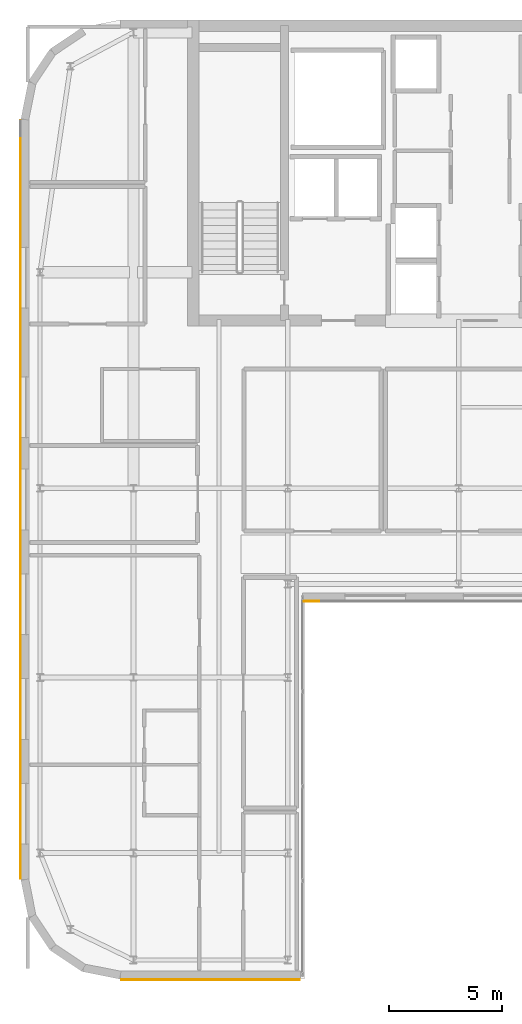
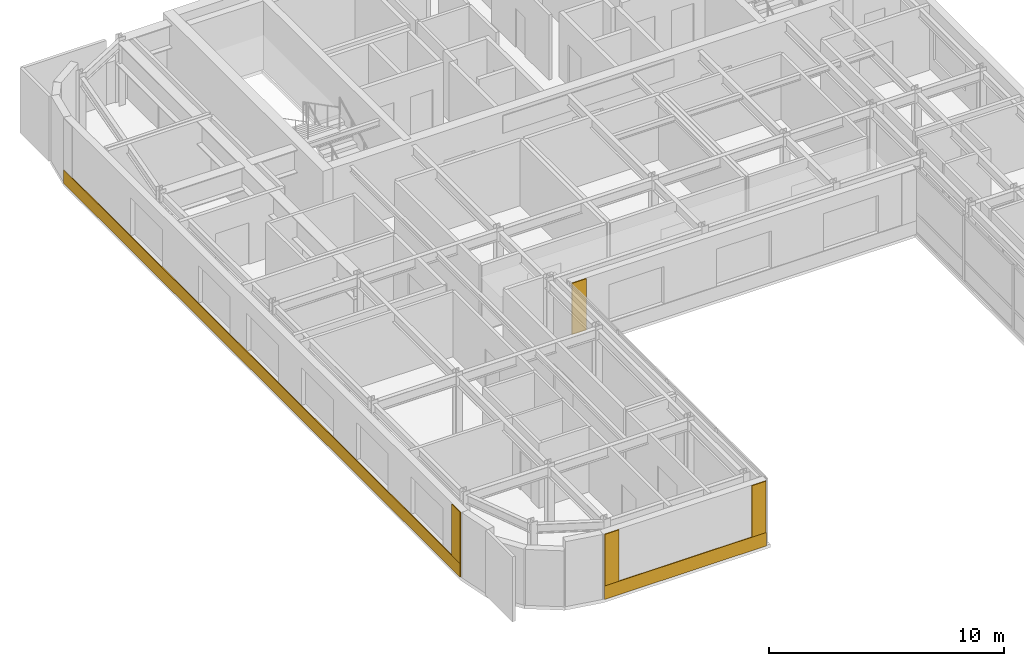
# One storey, part 18 of 21: 6 coverings.
"""IFC4 building model written with IfcOpenShell, lengths in metres."""

from ifc_helpers import new_model, si_unit, direction, frame, origin, place, context, subcontext, project, spatial, polyline, outline, extrude, material, layer, layer_set, type_object, element, save


model = new_model("IFC4")

# Units and contexts
model_context = context("Model", 3, precision=1e-05, world=origin(), true_north=direction((0.0, 1.0)))
body_context = subcontext(model_context, "Body", "Model", "MODEL_VIEW")
ifc_project = project(units=[si_unit("LENGTHUNIT", "METRE"), si_unit("AREAUNIT", "SQUARE_METRE"), si_unit("VOLUMEUNIT", "CUBIC_METRE"), si_unit("PLANEANGLEUNIT", "RADIAN"), si_unit("MASSUNIT", "GRAM", prefix="KILO")], contexts=[model_context])

# Site, building, storey
site_placement = place(None, origin())
site = spatial("IfcSite", under=ifc_project, at=site_placement, CompositionType="ELEMENT")
building_placement = place(site_placement, origin())
building = spatial("IfcBuilding", under=site, at=building_placement, Name="Tolvann Quenvar Hotel", CompositionType="ELEMENT")
storey_placement = place(building_placement, frame((0.0, 0.0, 255.85009765625)))
storey = spatial("IfcBuildingStorey", under=building, at=storey_placement, Name="L68", CompositionType="ELEMENT", Elevation=255.85009765625)

# Coverings
ifc_material_1 = material(Name="Kiln-fired red architectural face brick cladding", Category="masonry")
ifc_layer_1 = layer(ifc_material_1, 0.0400390625)
ifc_layer_set_1 = layer_set([ifc_layer_1], Name="Kiln-fired red architectural face brick cladding")
covering_type_1 = type_object("IfcCoveringType", Name="COV_CLAD_BRICK_40", PredefinedType="CLADDING", material=ifc_layer_set_1)
covering_1_placement = place(storey_placement, frame((0.0, 0.0, 0.699951171875)))
element("IfcCovering", 1, at=covering_1_placement, inside=storey, type_object=covering_type_1, Name="Brick Pier Cladding (L68-E04-P1)", PredefinedType="CLADDING", context=body_context, shape_type="SweptSolid", body=[
    extrude(outline(polyline([(7.067138671875, 2.60009765625), (7.76708984375, 2.60009765625), (7.76708984375, 2.56005859375), (7.067138671875, 2.56005859375), (7.067138671875, 2.60009765625)])), origin(), (0.0, 0.0, 1.0), 2.669921875),
])
covering_2_placement = place(storey_placement, frame((0.0, 0.0, 0.699951171875)))
element("IfcCovering", 2, at=covering_2_placement, inside=storey, type_object=covering_type_1, Name="Brick Pier Cladding (L68-E04-P2)", PredefinedType="CLADDING", context=body_context, shape_type="SweptSolid", body=[
    extrude(outline(polyline([(14.27490234375, 2.60009765625), (14.97509765625, 2.60009765625), (14.97509765625, 2.56005859375), (14.27490234375, 2.56005859375), (14.27490234375, 2.60009765625)])), origin(), (0.0, 0.0, 1.0), 2.669921875),
])
covering_3_placement = place(storey_placement, frame((0.0, 0.0, 0.699951171875)))
element("IfcCovering", 3, at=covering_3_placement, inside=storey, type_object=covering_type_1, Name="Brick Pier Cladding (L68-E06-P1)", PredefinedType="CLADDING", context=body_context, shape_type="SweptSolid", body=[
    extrude(outline(polyline([(15.159912109375, 19.39990234375), (15.860107421875, 19.39990234375), (15.860107421875, 19.360107421875), (15.159912109375, 19.360107421875), (15.159912109375, 19.39990234375)])), origin(), (0.0, 0.0, 1.0), 2.669921875),
])
covering_4_placement = place(storey_placement, frame((0.0, 0.0, 0.699951171875)))
element("IfcCovering", 4, at=covering_4_placement, inside=storey, type_object=covering_type_1, Name="Brick Pier Cladding (L68-E23-P2)", PredefinedType="CLADDING", context=body_context, shape_type="SweptSolid", body=[
    extrude(outline(polyline([(2.60009765625, 7.76708984375), (2.60009765625, 7.067138671875), (2.56005859375, 7.067138671875), (2.56005859375, 7.76708984375), (2.60009765625, 7.76708984375)])), origin(), (0.0, 0.0, 1.0), 2.669921875),
])
ifc_material_2 = material(Name="Moulded buff architectural terracotta spandrel cladding", Category="masonry")
ifc_layer_2 = layer(ifc_material_2, 0.0400390625)
ifc_layer_set_2 = layer_set([ifc_layer_2], Name="Moulded buff architectural terracotta spandrel cladding")
covering_type_2 = type_object("IfcCoveringType", Name="COV_CLAD_TERRA_40", PredefinedType="CLADDING", material=ifc_layer_set_2)
covering_5_placement = place(storey_placement, origin())
element("IfcCovering", 5, at=covering_5_placement, inside=storey, type_object=covering_type_2, Name="Terracotta Spandrel Cladding (L68-E04)", PredefinedType="CLADDING", context=body_context, shape_type="SweptSolid", body=[
    extrude(outline(polyline([(7.05712890625, 2.60009765625), (14.985107421875, 2.60009765625), (14.985107421875, 2.56005859375), (7.05712890625, 2.56005859375), (7.05712890625, 2.60009765625)])), origin(), (0.0, 0.0, 1.0), 0.699951171875),
])
covering_6_placement = place(storey_placement, origin())
element("IfcCovering", 6, at=covering_6_placement, inside=storey, type_object=covering_type_2, Name="Terracotta Spandrel Cladding (L68-E23)", PredefinedType="CLADDING", context=body_context, shape_type="SweptSolid", body=[
    extrude(outline(polyline([(2.60009765625, 40.742919921875), (2.60009765625, 7.05712890625), (2.56005859375, 7.05712890625), (2.56005859375, 40.742919921875), (2.60009765625, 40.742919921875)])), origin(), (0.0, 0.0, 1.0), 0.699951171875),
])

save(model, "model.ifc")
